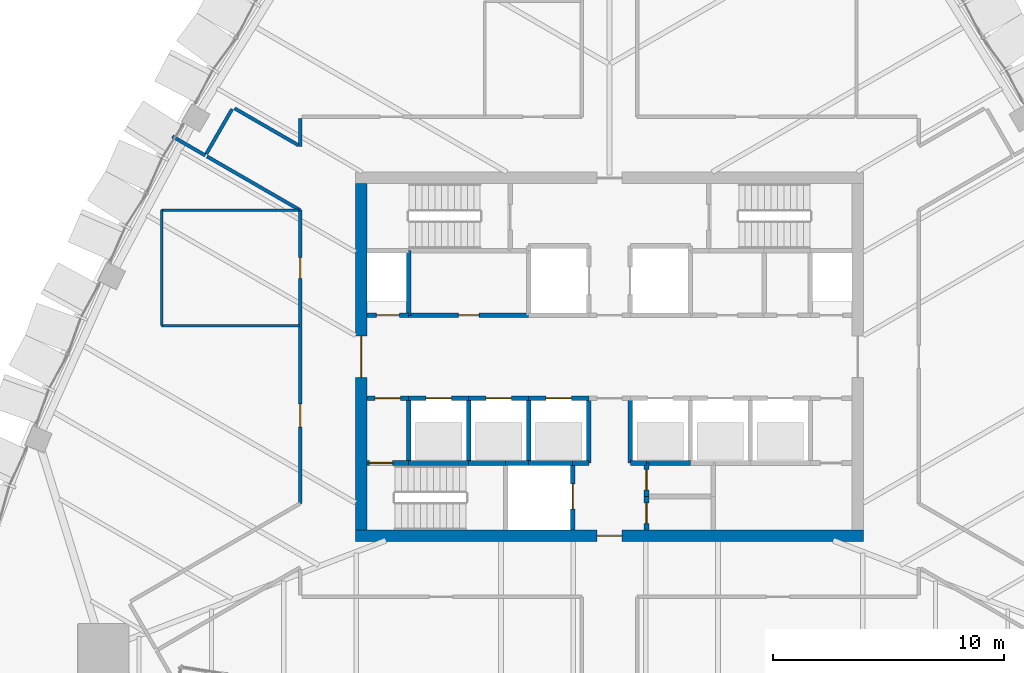
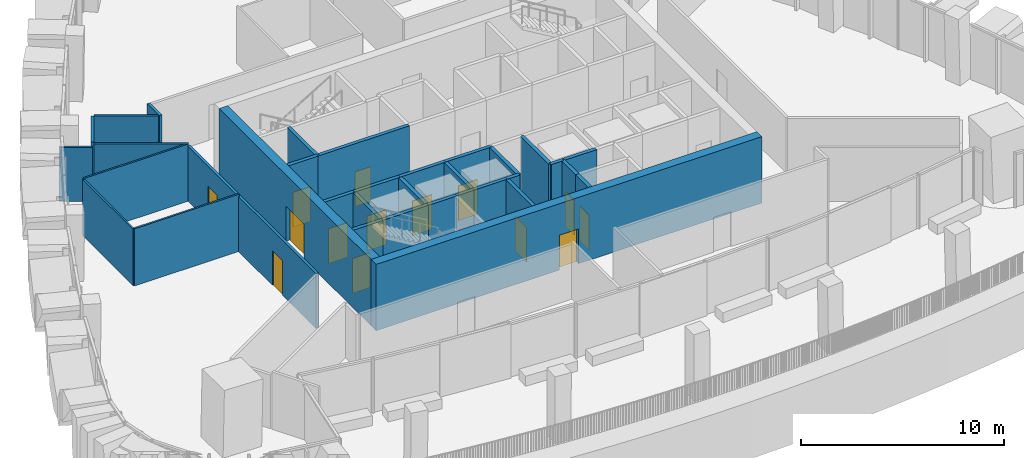
# One storey, part 13 of 22: 34 walls, 14 doors, 14 openings.
"""IFC4 building model written with IfcOpenShell, lengths in metres."""

from ifc_helpers import new_model, si_unit, direction, frame, frame_2d, origin, place, context, subcontext, project, spatial, rectangle, extrude, material, layer, layer_set, type_object, element, fill, save


model = new_model("IFC4")

# Units and contexts
model_context = context("Model", 3, precision=1e-05, world=origin(), true_north=direction((0.0, 1.0)))
body_context = subcontext(model_context, "Body", "Model", "MODEL_VIEW")
ifc_project = project(units=[si_unit("LENGTHUNIT", "METRE"), si_unit("AREAUNIT", "SQUARE_METRE"), si_unit("VOLUMEUNIT", "CUBIC_METRE"), si_unit("PLANEANGLEUNIT", "RADIAN"), si_unit("MASSUNIT", "GRAM", prefix="KILO")], contexts=[model_context])

# Site, building, storey
site_placement = place(None, origin())
site = spatial("IfcSite", under=ifc_project, at=site_placement, CompositionType="ELEMENT")
building_placement = place(site_placement, origin())
building = spatial("IfcBuilding", under=site, at=building_placement, Name="Sierra Prisma Convention Tower", CompositionType="ELEMENT")
storey_placement = place(building_placement, frame((0.0, 0.0, 243.0)))
storey = spatial("IfcBuildingStorey", under=building, at=storey_placement, Name="L54", CompositionType="ELEMENT", Elevation=243.0)

# Walls
ifc_material_1 = material(Name="Gypsum board partition", Category="gypsum")
ifc_layer_1 = layer(ifc_material_1, 0.10009765625)
ifc_layer_set_1 = layer_set([ifc_layer_1], Name="Bathroom partition 100")
wall_type_1 = type_object("IfcWallType", Name="Bathroom partition 100", PredefinedType="PARTITIONING", material=ifc_layer_set_1)
wall_1_placement = place(storey_placement, frame((-13.429931640625, 1.350830078125, 0.0), z_axis=(0.0, 0.0, 1.0), x_axis=(-1.0, 0.0, 0.0)))
element("IfcWall", 1, at=wall_1_placement, inside=storey, type_object=wall_type_1, Name="Partition L54 bath 1", PredefinedType="PARTITIONING", context=body_context, shape_type="SweptSolid", body=[
    extrude(rectangle(XDim=5.969970703125, YDim=0.10009765625, at=frame_2d((2.98486328125, 0.0))), origin(), (0.0, 0.0, 1.0), 3.449951171875),
])
wall_2_placement = place(storey_placement, frame((-19.39990234375, 1.350830078125, 0.0), z_axis=(0.0, 0.0, 1.0), x_axis=(0.0, 1.0, 0.0)))
element("IfcWall", 2, at=wall_2_placement, inside=storey, type_object=wall_type_1, Name="Partition L54 bath 2", PredefinedType="PARTITIONING", context=body_context, shape_type="SweptSolid", body=[
    extrude(rectangle(XDim=5.0, YDim=0.10009765625, at=frame_2d((2.5, 0.0))), origin(), (0.0, 0.0, 1.0), 3.39306640625),
])
wall_3_placement = place(storey_placement, frame((-19.39990234375, 6.350830078125, 0.0), z_axis=(0.0, 0.0, 1.0), x_axis=(1.0, 0.0, 0.0)))
element("IfcWall", 3, at=wall_3_placement, inside=storey, type_object=wall_type_1, Name="Partition L54 bath 3", PredefinedType="PARTITIONING", context=body_context, shape_type="SweptSolid", body=[
    extrude(rectangle(XDim=5.93994140625, YDim=0.10009765625, at=frame_2d((2.969970703125, 0.0))), origin(), (0.0, 0.0, 1.0), 3.443115234375),
])

# Wall, opening, door
ifc_material_2 = material(Name="Concrete C30/37", Category="concrete")
ifc_layer_2 = layer(ifc_material_2, 0.199951171875)
ifc_layer_set_2 = layer_set([ifc_layer_2], Name="Core wall RC 200 C30/37")
wall_type_2 = type_object("IfcWallType", Name="Core wall RC 200 C30/37", PredefinedType="SOLIDWALL", material=ifc_layer_set_2)
wall_4_placement = place(storey_placement, frame((-10.5, -4.60009765625, 0.0), z_axis=(0.0, 0.0, 1.0), x_axis=(1.0, 0.0, 0.0)))
wall_4 = element("IfcWall", 4, at=wall_4_placement, inside=storey, type_object=wall_type_2, Name="Core wall L54 1", PredefinedType="SOLIDWALL", context=body_context, shape_type="SweptSolid", body=[
    extrude(rectangle(XDim=1.800048828125, YDim=0.199951171875, at=frame_2d((0.89990234375, 0.0))), origin(), (0.0, 0.0, 1.0), 3.85009765625),
])
opening_1_placement = place(wall_4_placement, frame((0.10009765625, 0.0, 0.0)))
opening_1 = element("IfcOpeningElement", 5, at=opening_1_placement, cuts=wall_4, Name="Opening L54-D018", PredefinedType="OPENING", context=body_context, shape_type="SweptSolid", body=[
    extrude(rectangle(XDim=1.0, YDim=2.10009765625, at=frame_2d((0.5, 1.050048828125))), frame((0.0, 0.10009765625, 0.0), z_axis=(0.0, -1.0, 0.0), x_axis=(1.0, 0.0, 0.0)), (0.0, 0.0, 1.0), 0.199951171875),
])
ifc_material_3 = material(Name="Steel fire door leaf", Category="steel")
door_type_1 = type_object("IfcDoorType", Name="Door 1000x2100 FD90S", OperationType="SINGLE_SWING_LEFT", PredefinedType="DOOR", material=ifc_material_3)
door_1_placement = place(opening_1_placement, origin())
door_1 = element("IfcDoor", 6, at=door_1_placement, inside=storey, type_object=door_type_1, Name="Door L54 25", OperationType="SINGLE_SWING_LEFT", OverallHeight=2.10009765625, OverallWidth=1.0, PredefinedType="DOOR", context=body_context, shape_type="SweptSolid", body=[
    extrude(rectangle(XDim=1.0, YDim=2.10009765625, at=frame_2d((0.5, 1.050048828125))), frame((0.0, 0.02490234375, 0.0), z_axis=(0.0, -1.0, 0.0), x_axis=(1.0, 0.0, 0.0)), (0.0, 0.0, 1.0), 0.050048828125),
])
fill(opening_1, door_1)

wall_5_placement = place(storey_placement, frame((-10.5, -1.800048828125, 0.0), z_axis=(0.0, 0.0, 1.0), x_axis=(1.0, 0.0, 0.0)))
wall_5 = element("IfcWall", 7, at=wall_5_placement, inside=storey, type_object=wall_type_2, Name="Core wall L54 2", PredefinedType="SOLIDWALL", context=body_context, shape_type="SweptSolid", body=[
    extrude(rectangle(XDim=1.800048828125, YDim=0.199951171875, at=frame_2d((0.89990234375, 0.0))), origin(), (0.0, 0.0, 1.0), 3.85009765625),
])
opening_2_placement = place(wall_5_placement, frame((0.35009765625, 0.0, 0.0)))
opening_2 = element("IfcOpeningElement", 8, at=opening_2_placement, cuts=wall_5, Name="Opening L54-D013", PredefinedType="OPENING", context=body_context, shape_type="SweptSolid", body=[
    extrude(rectangle(XDim=1.10009765625, YDim=2.10009765625, at=frame_2d((0.550048828125, 1.050048828125))), frame((0.0, 0.10009765625, 0.0), z_axis=(0.0, -1.0, 0.0), x_axis=(1.0, 0.0, 0.0)), (0.0, 0.0, 1.0), 0.199951171875),
])
ifc_material_4 = material(Name="Steel fire door leaf", Category="steel")
door_type_2 = type_object("IfcDoorType", Name="Door 1100x2100 FD90S", OperationType="SINGLE_SWING_LEFT", PredefinedType="DOOR", material=ifc_material_4)
door_2_placement = place(opening_2_placement, origin())
door_2 = element("IfcDoor", 9, at=door_2_placement, inside=storey, type_object=door_type_2, Name="Door L54 20", OperationType="SINGLE_SWING_RIGHT", OverallHeight=2.10009765625, OverallWidth=1.10009765625, PredefinedType="DOOR", context=body_context, shape_type="SweptSolid", body=[
    extrude(rectangle(XDim=1.10009765625, YDim=2.10009765625, at=frame_2d((0.550048828125, 1.050048828125))), frame((0.0, 0.02490234375, 0.0), z_axis=(0.0, -1.0, 0.0), x_axis=(1.0, 0.0, 0.0)), (0.0, 0.0, 1.0), 0.050048828125),
])
fill(opening_2, door_2)

wall_6_placement = place(storey_placement, frame((-8.699951171875, 1.800048828125, 0.0), z_axis=(0.0, 0.0, 1.0), x_axis=(-1.0, 0.0, 0.0)))
wall_6 = element("IfcWall", 10, at=wall_6_placement, inside=storey, type_object=wall_type_2, Name="Core wall L54 3", PredefinedType="SOLIDWALL", context=body_context, shape_type="SweptSolid", body=[
    extrude(rectangle(XDim=1.800048828125, YDim=0.199951171875, at=frame_2d((0.89990234375, 0.0))), origin(), (0.0, 0.0, 1.0), 3.85009765625),
])
opening_3_placement = place(wall_6_placement, frame((0.39990234375, 0.0, 0.0)))
opening_3 = element("IfcOpeningElement", 11, at=opening_3_placement, cuts=wall_6, Name="Opening L54-D016", PredefinedType="OPENING", context=body_context, shape_type="SweptSolid", body=[
    extrude(rectangle(XDim=1.0, YDim=2.10009765625, at=frame_2d((0.5, 1.050048828125))), frame((0.0, 0.10009765625, 0.0), z_axis=(0.0, -1.0, 0.0), x_axis=(1.0, 0.0, 0.0)), (0.0, 0.0, 1.0), 0.199951171875),
])
ifc_material_5 = material(Name="Steel fire door leaf", Category="steel")
door_type_3 = type_object("IfcDoorType", Name="Door 1000x2100 FD60S", OperationType="SINGLE_SWING_LEFT", PredefinedType="DOOR", material=ifc_material_5)
door_3_placement = place(opening_3_placement, origin())
door_3 = element("IfcDoor", 12, at=door_3_placement, inside=storey, type_object=door_type_3, Name="Door L54 23", OperationType="SINGLE_SWING_LEFT", OverallHeight=2.10009765625, OverallWidth=1.0, PredefinedType="DOOR", context=body_context, shape_type="SweptSolid", body=[
    extrude(rectangle(XDim=1.0, YDim=2.10009765625, at=frame_2d((0.5, 1.050048828125))), frame((0.0, 0.02490234375, 0.0), z_axis=(0.0, -1.0, 0.0), x_axis=(1.0, 0.0, 0.0)), (0.0, 0.0, 1.0), 0.050048828125),
])
fill(opening_3, door_3)

# Walls
wall_7_placement = place(storey_placement, frame((-8.699951171875, -4.60009765625, 0.0), z_axis=(0.0, 0.0, 1.0), x_axis=(1.0, 0.0, 0.0)))
element("IfcWall", 13, at=wall_7_placement, inside=storey, type_object=wall_type_2, Name="Core wall L54 5", PredefinedType="SOLIDWALL", context=body_context, shape_type="SweptSolid", body=[
    extrude(rectangle(XDim=2.599853515625, YDim=0.199951171875, at=frame_2d((1.2998046875, 0.0))), origin(), (0.0, 0.0, 1.0), 3.85009765625),
])
wall_8_placement = place(storey_placement, frame((-8.699951171875, -4.60009765625, 0.0), z_axis=(0.0, 0.0, 1.0), x_axis=(0.0, 1.0, 0.0)))
element("IfcWall", 14, at=wall_8_placement, inside=storey, type_object=wall_type_2, Name="Core wall L54 6", PredefinedType="SOLIDWALL", context=body_context, shape_type="SweptSolid", body=[
    extrude(rectangle(XDim=2.800048828125, YDim=0.199951171875, at=frame_2d((1.39990234375, 0.0))), origin(), (0.0, 0.0, 1.0), 3.85009765625),
])

# Wall, opening, door
wall_9_placement = place(storey_placement, frame((-8.699951171875, -1.800048828125, 0.0), z_axis=(0.0, 0.0, 1.0), x_axis=(1.0, 0.0, 0.0)))
wall_9 = element("IfcWall", 15, at=wall_9_placement, inside=storey, type_object=wall_type_2, Name="Core wall L54 7", PredefinedType="SOLIDWALL", context=body_context, shape_type="SweptSolid", body=[
    extrude(rectangle(XDim=2.599853515625, YDim=0.199951171875, at=frame_2d((1.2998046875, 0.0))), origin(), (0.0, 0.0, 1.0), 3.85009765625),
])
opening_4_placement = place(wall_9_placement, frame((0.75, 0.0, 0.0)))
opening_4 = element("IfcOpeningElement", 16, at=opening_4_placement, cuts=wall_9, Name="Opening L54-D004", PredefinedType="OPENING", context=body_context, shape_type="SweptSolid", body=[
    extrude(rectangle(XDim=1.10009765625, YDim=2.10009765625, at=frame_2d((0.550048828125, 1.050048828125))), frame((0.0, 0.10009765625, 0.0), z_axis=(0.0, -1.0, 0.0), x_axis=(1.0, 0.0, 0.0)), (0.0, 0.0, 1.0), 0.199951171875),
])
ifc_material_6 = material(Name="Steel fire door leaf", Category="steel")
door_type_4 = type_object("IfcDoorType", Name="Door 1100x2100 EI 90 sliding lift landing", OperationType="SLIDING_TO_LEFT", PredefinedType="DOOR", material=ifc_material_6)
door_4_placement = place(opening_4_placement, origin())
door_4 = element("IfcDoor", 17, at=door_4_placement, inside=storey, type_object=door_type_4, Name="Door L54 11", OperationType="SLIDING_TO_RIGHT", OverallHeight=2.10009765625, OverallWidth=1.10009765625, PredefinedType="DOOR", context=body_context, shape_type="SweptSolid", body=[
    extrude(rectangle(XDim=1.10009765625, YDim=2.10009765625, at=frame_2d((0.550048828125, 1.050048828125))), frame((0.0, 0.02490234375, 0.0), z_axis=(0.0, -1.0, 0.0), x_axis=(1.0, 0.0, 0.0)), (0.0, 0.0, 1.0), 0.050048828125),
])
fill(opening_4, door_4)

wall_10_placement = place(storey_placement, frame((-8.699951171875, 1.800048828125, 0.0), z_axis=(0.0, 0.0, 1.0), x_axis=(1.0, 0.0, 0.0)))
wall_10 = element("IfcWall", 18, at=wall_10_placement, inside=storey, type_object=wall_type_2, Name="Core wall L54 8", PredefinedType="SOLIDWALL", context=body_context, shape_type="SweptSolid", body=[
    extrude(rectangle(XDim=5.199951171875, YDim=0.199951171875, at=frame_2d((2.60009765625, 0.0))), origin(), (0.0, 0.0, 1.0), 3.85009765625),
])
opening_5_placement = place(wall_10_placement, frame((2.14990234375, 0.0, 0.0)))
opening_5 = element("IfcOpeningElement", 19, at=opening_5_placement, cuts=wall_10, Name="Opening L54-D023", PredefinedType="OPENING", context=body_context, shape_type="SweptSolid", body=[
    extrude(rectangle(XDim=0.89990234375, YDim=2.10009765625, at=frame_2d((0.449951171875, 1.050048828125))), frame((0.0, 0.10009765625, 0.0), z_axis=(0.0, -1.0, 0.0), x_axis=(1.0, 0.0, 0.0)), (0.0, 0.0, 1.0), 0.199951171875),
])
ifc_material_7 = material(Name="Steel fire door leaf", Category="steel")
door_type_5 = type_object("IfcDoorType", Name="Door 900x2100 FD30S", OperationType="SINGLE_SWING_LEFT", PredefinedType="DOOR", material=ifc_material_7)
door_5_placement = place(opening_5_placement, origin())
door_5 = element("IfcDoor", 20, at=door_5_placement, inside=storey, type_object=door_type_5, Name="Door L54 30", OperationType="SINGLE_SWING_RIGHT", OverallHeight=2.10009765625, OverallWidth=0.89990234375, PredefinedType="DOOR", context=body_context, shape_type="SweptSolid", body=[
    extrude(rectangle(XDim=0.89990234375, YDim=2.10009765625, at=frame_2d((0.449951171875, 1.050048828125))), frame((0.0, 0.02490234375, 0.0), z_axis=(0.0, -1.0, 0.0), x_axis=(1.0, 0.0, 0.0)), (0.0, 0.0, 1.0), 0.050048828125),
])
fill(opening_5, door_5)

# Walls
wall_11_placement = place(storey_placement, frame((-8.699951171875, 4.60009765625, 0.0), z_axis=(0.0, 0.0, 1.0), x_axis=(0.0, -1.0, 0.0)))
element("IfcWall", 21, at=wall_11_placement, inside=storey, type_object=wall_type_2, Name="Core wall L54 9", PredefinedType="SOLIDWALL", context=body_context, shape_type="SweptSolid", body=[
    extrude(rectangle(XDim=2.800048828125, YDim=0.199951171875, at=frame_2d((1.39990234375, 0.0))), origin(), (0.0, 0.0, 1.0), 3.85009765625),
])
wall_12_placement = place(storey_placement, frame((-6.10009765625, -4.60009765625, 0.0), z_axis=(0.0, 0.0, 1.0), x_axis=(1.0, 0.0, 0.0)))
element("IfcWall", 22, at=wall_12_placement, inside=storey, type_object=wall_type_2, Name="Core wall L54 11", PredefinedType="SOLIDWALL", context=body_context, shape_type="SweptSolid", body=[
    extrude(rectangle(XDim=1.60009765625, YDim=0.199951171875, at=frame_2d((0.800048828125, 0.0))), origin(), (0.0, 0.0, 1.0), 3.85009765625),
])
wall_13_placement = place(storey_placement, frame((-6.10009765625, -4.60009765625, 0.0), z_axis=(0.0, 0.0, 1.0), x_axis=(0.0, 1.0, 0.0)))
element("IfcWall", 23, at=wall_13_placement, inside=storey, type_object=wall_type_2, Name="Core wall L54 12", PredefinedType="SOLIDWALL", context=body_context, shape_type="SweptSolid", body=[
    extrude(rectangle(XDim=2.800048828125, YDim=0.199951171875, at=frame_2d((1.39990234375, 0.0))), origin(), (0.0, 0.0, 1.0), 3.85009765625),
])

# Wall, opening, door
wall_14_placement = place(storey_placement, frame((-6.10009765625, -1.800048828125, 0.0), z_axis=(0.0, 0.0, 1.0), x_axis=(1.0, 0.0, 0.0)))
wall_14 = element("IfcWall", 24, at=wall_14_placement, inside=storey, type_object=wall_type_2, Name="Core wall L54 13", PredefinedType="SOLIDWALL", context=body_context, shape_type="SweptSolid", body=[
    extrude(rectangle(XDim=2.60009765625, YDim=0.199951171875, at=frame_2d((1.300048828125, 0.0))), origin(), (0.0, 0.0, 1.0), 3.85009765625),
])
opening_6_placement = place(wall_14_placement, frame((0.75, 0.0, 0.0)))
opening_6 = element("IfcOpeningElement", 25, at=opening_6_placement, cuts=wall_14, Name="Opening L54-D005", PredefinedType="OPENING", context=body_context, shape_type="SweptSolid", body=[
    extrude(rectangle(XDim=1.10009765625, YDim=2.10009765625, at=frame_2d((0.550048828125, 1.050048828125))), frame((0.0, 0.10009765625, 0.0), z_axis=(0.0, -1.0, 0.0), x_axis=(1.0, 0.0, 0.0)), (0.0, 0.0, 1.0), 0.199951171875),
])
door_6_placement = place(opening_6_placement, origin())
door_6 = element("IfcDoor", 26, at=door_6_placement, inside=storey, type_object=door_type_4, Name="Door L54 12", OperationType="SLIDING_TO_RIGHT", OverallHeight=2.10009765625, OverallWidth=1.10009765625, PredefinedType="DOOR", context=body_context, shape_type="SweptSolid", body=[
    extrude(rectangle(XDim=1.10009765625, YDim=2.10009765625, at=frame_2d((0.550048828125, 1.050048828125))), frame((0.0, 0.02490234375, 0.0), z_axis=(0.0, -1.0, 0.0), x_axis=(1.0, 0.0, 0.0)), (0.0, 0.0, 1.0), 0.050048828125),
])
fill(opening_6, door_6)

# Walls
wall_15_placement = place(storey_placement, frame((-4.5, -4.60009765625, 0.0), z_axis=(0.0, 0.0, 1.0), x_axis=(1.0, 0.0, 0.0)))
element("IfcWall", 27, at=wall_15_placement, inside=storey, type_object=wall_type_2, Name="Core wall L54 15", PredefinedType="SOLIDWALL", context=body_context, shape_type="SweptSolid", body=[
    extrude(rectangle(XDim=1.0, YDim=0.199951171875, at=frame_2d((0.5, 0.0))), origin(), (0.0, 0.0, 1.0), 3.85009765625),
])
wall_16_placement = place(storey_placement, frame((-3.5, -4.60009765625, 0.0), z_axis=(0.0, 0.0, 1.0), x_axis=(1.0, 0.0, 0.0)))
element("IfcWall", 28, at=wall_16_placement, inside=storey, type_object=wall_type_2, Name="Core wall L54 18", PredefinedType="SOLIDWALL", context=body_context, shape_type="SweptSolid", body=[
    extrude(rectangle(XDim=1.89990234375, YDim=0.199951171875, at=frame_2d((0.949951171875, 0.0))), origin(), (0.0, 0.0, 1.0), 3.85009765625),
])
wall_17_placement = place(storey_placement, frame((-3.5, -4.60009765625, 0.0), z_axis=(0.0, 0.0, 1.0), x_axis=(0.0, 1.0, 0.0)))
element("IfcWall", 29, at=wall_17_placement, inside=storey, type_object=wall_type_2, Name="Core wall L54 19", PredefinedType="SOLIDWALL", context=body_context, shape_type="SweptSolid", body=[
    extrude(rectangle(XDim=2.800048828125, YDim=0.199951171875, at=frame_2d((1.39990234375, 0.0))), origin(), (0.0, 0.0, 1.0), 3.85009765625),
])

# Wall, opening, door
wall_18_placement = place(storey_placement, frame((-3.5, -1.800048828125, 0.0), z_axis=(0.0, 0.0, 1.0), x_axis=(1.0, 0.0, 0.0)))
wall_18 = element("IfcWall", 30, at=wall_18_placement, inside=storey, type_object=wall_type_2, Name="Core wall L54 20", PredefinedType="SOLIDWALL", context=body_context, shape_type="SweptSolid", body=[
    extrude(rectangle(XDim=2.60009765625, YDim=0.199951171875, at=frame_2d((1.300048828125, 0.0))), origin(), (0.0, 0.0, 1.0), 3.85009765625),
])
opening_7_placement = place(wall_18_placement, frame((0.75, 0.0, 0.0)))
opening_7 = element("IfcOpeningElement", 31, at=opening_7_placement, cuts=wall_18, Name="Opening L54-D006", PredefinedType="OPENING", context=body_context, shape_type="SweptSolid", body=[
    extrude(rectangle(XDim=1.10009765625, YDim=2.10009765625, at=frame_2d((0.550048828125, 1.050048828125))), frame((0.0, 0.10009765625, 0.0), z_axis=(0.0, -1.0, 0.0), x_axis=(1.0, 0.0, 0.0)), (0.0, 0.0, 1.0), 0.199951171875),
])
door_7_placement = place(opening_7_placement, origin())
door_7 = element("IfcDoor", 32, at=door_7_placement, inside=storey, type_object=door_type_4, Name="Door L54 13", OperationType="SLIDING_TO_RIGHT", OverallHeight=2.10009765625, OverallWidth=1.10009765625, PredefinedType="DOOR", context=body_context, shape_type="SweptSolid", body=[
    extrude(rectangle(XDim=1.10009765625, YDim=2.10009765625, at=frame_2d((0.550048828125, 1.050048828125))), frame((0.0, 0.02490234375, 0.0), z_axis=(0.0, -1.0, 0.0), x_axis=(1.0, 0.0, 0.0)), (0.0, 0.0, 1.0), 0.050048828125),
])
fill(opening_7, door_7)

wall_19_placement = place(storey_placement, frame((-1.60009765625, -7.5, 0.0), z_axis=(0.0, 0.0, 1.0), x_axis=(0.0, 1.0, 0.0)))
wall_19 = element("IfcWall", 33, at=wall_19_placement, inside=storey, type_object=wall_type_2, Name="Core wall L54 26", PredefinedType="SOLIDWALL", context=body_context, shape_type="SweptSolid", body=[
    extrude(rectangle(XDim=2.89990234375, YDim=0.199951171875, at=frame_2d((1.449951171875, 0.0))), origin(), (0.0, 0.0, 1.0), 3.85009765625),
])
opening_8_placement = place(wall_19_placement, frame((0.89990234375, 0.0, 0.0)))
opening_8 = element("IfcOpeningElement", 34, at=opening_8_placement, cuts=wall_19, Name="Opening L54-D012", PredefinedType="OPENING", context=body_context, shape_type="SweptSolid", body=[
    extrude(rectangle(XDim=1.10009765625, YDim=2.10009765625, at=frame_2d((0.550048828125, 1.050048828125))), frame((0.0, 0.10009765625, 0.0), z_axis=(0.0, -1.0, 0.0), x_axis=(1.0, 0.0, 0.0)), (0.0, 0.0, 1.0), 0.199951171875),
])
door_8_placement = place(opening_8_placement, origin())
door_8 = element("IfcDoor", 35, at=door_8_placement, inside=storey, type_object=door_type_4, Name="Door L54 19", OperationType="SLIDING_TO_RIGHT", OverallHeight=2.10009765625, OverallWidth=1.10009765625, PredefinedType="DOOR", context=body_context, shape_type="SweptSolid", body=[
    extrude(rectangle(XDim=1.10009765625, YDim=2.10009765625, at=frame_2d((0.550048828125, 1.050048828125))), frame((0.0, 0.02490234375, 0.0), z_axis=(0.0, -1.0, 0.0), x_axis=(1.0, 0.0, 0.0)), (0.0, 0.0, 1.0), 0.050048828125),
])
fill(opening_8, door_8)

# Walls
wall_20_placement = place(storey_placement, frame((-1.60009765625, -4.60009765625, 0.0), z_axis=(0.0, 0.0, 1.0), x_axis=(1.0, 0.0, 0.0)))
element("IfcWall", 36, at=wall_20_placement, inside=storey, type_object=wall_type_2, Name="Core wall L54 27", PredefinedType="SOLIDWALL", context=body_context, shape_type="SweptSolid", body=[
    extrude(rectangle(XDim=0.7001953125, YDim=0.199951171875, at=frame_2d((0.35009765625, 0.0))), origin(), (0.0, 0.0, 1.0), 3.85009765625),
])
for number, where, z_axis, x_axis, name in (
    (37, (-0.89990234375, -4.60009765625, 0.0), (0.0, 0.0, 1.0), (0.0, 1.0, 0.0), "Core wall L54 28"),
    (38, (0.89990234375, -1.800048828125, 0.0), (0.0, 0.0, 1.0), (0.0, -1.0, 0.0), "Core wall L54 32"),
):
    element("IfcWall", number, at=place(storey_placement, frame(where, z_axis=z_axis, x_axis=x_axis)), inside=storey, type_object=wall_type_2, Name=name, PredefinedType="SOLIDWALL", context=body_context, shape_type="SweptSolid", body=[
        extrude(rectangle(XDim=2.800048828125, YDim=0.199951171875, at=frame_2d((1.39990234375, 0.0))), origin(), (0.0, 0.0, 1.0), 3.85009765625),
    ])
wall_21_placement = place(storey_placement, frame((0.89990234375, -4.60009765625, 0.0), z_axis=(0.0, 0.0, 1.0), x_axis=(1.0, 0.0, 0.0)))
element("IfcWall", 39, at=wall_21_placement, inside=storey, type_object=wall_type_2, Name="Core wall L54 33", PredefinedType="SOLIDWALL", context=body_context, shape_type="SweptSolid", body=[
    extrude(rectangle(XDim=0.7001953125, YDim=0.199951171875, at=frame_2d((0.35009765625, 0.0))), origin(), (0.0, 0.0, 1.0), 3.85009765625),
])

# Wall, opening, door
wall_22_placement = place(storey_placement, frame((1.60009765625, -6.050048828125, 0.0), z_axis=(0.0, 0.0, 1.0), x_axis=(0.0, -1.0, 0.0)))
wall_22 = element("IfcWall", 40, at=wall_22_placement, inside=storey, type_object=wall_type_2, Name="Core wall L54 38", PredefinedType="SOLIDWALL", context=body_context, shape_type="SweptSolid", body=[
    extrude(rectangle(XDim=1.449951171875, YDim=0.199951171875, at=frame_2d((0.72509765625, 0.0))), origin(), (0.0, 0.0, 1.0), 3.85009765625),
])
opening_9_placement = place(wall_22_placement, frame((0.27490234375, 0.0, 0.0)))
opening_9 = element("IfcOpeningElement", 41, at=opening_9_placement, cuts=wall_22, Name="Opening L54-D026", PredefinedType="OPENING", context=body_context, shape_type="SweptSolid", body=[
    extrude(rectangle(XDim=0.89990234375, YDim=2.10009765625, at=frame_2d((0.449951171875, 1.050048828125))), frame((0.0, 0.10009765625, 0.0), z_axis=(0.0, -1.0, 0.0), x_axis=(1.0, 0.0, 0.0)), (0.0, 0.0, 1.0), 0.199951171875),
])
door_9_placement = place(opening_9_placement, origin())
door_9 = element("IfcDoor", 42, at=door_9_placement, inside=storey, type_object=door_type_5, Name="Door L54 33", OperationType="SINGLE_SWING_LEFT", OverallHeight=2.10009765625, OverallWidth=0.89990234375, PredefinedType="DOOR", context=body_context, shape_type="SweptSolid", body=[
    extrude(rectangle(XDim=0.89990234375, YDim=2.10009765625, at=frame_2d((0.449951171875, 1.050048828125))), frame((0.0, 0.02490234375, 0.0), z_axis=(0.0, -1.0, 0.0), x_axis=(1.0, 0.0, 0.0)), (0.0, 0.0, 1.0), 0.050048828125),
])
fill(opening_9, door_9)

wall_23_placement = place(storey_placement, frame((1.60009765625, -4.60009765625, 0.0), z_axis=(0.0, 0.0, 1.0), x_axis=(0.0, -1.0, 0.0)))
wall_23 = element("IfcWall", 43, at=wall_23_placement, inside=storey, type_object=wall_type_2, Name="Core wall L54 40", PredefinedType="SOLIDWALL", context=body_context, shape_type="SweptSolid", body=[
    extrude(rectangle(XDim=1.449951171875, YDim=0.199951171875, at=frame_2d((0.72509765625, 0.0))), origin(), (0.0, 0.0, 1.0), 3.85009765625),
])
opening_10_placement = place(wall_23_placement, frame((0.27490234375, 0.0, 0.0)))
opening_10 = element("IfcOpeningElement", 44, at=opening_10_placement, cuts=wall_23, Name="Opening L54-D027", PredefinedType="OPENING", context=body_context, shape_type="SweptSolid", body=[
    extrude(rectangle(XDim=0.89990234375, YDim=2.10009765625, at=frame_2d((0.449951171875, 1.050048828125))), frame((0.0, 0.10009765625, 0.0), z_axis=(0.0, -1.0, 0.0), x_axis=(1.0, 0.0, 0.0)), (0.0, 0.0, 1.0), 0.199951171875),
])
door_10_placement = place(opening_10_placement, origin())
door_10 = element("IfcDoor", 45, at=door_10_placement, inside=storey, type_object=door_type_5, Name="Door L54 34", OperationType="SINGLE_SWING_RIGHT", OverallHeight=2.10009765625, OverallWidth=0.89990234375, PredefinedType="DOOR", context=body_context, shape_type="SweptSolid", body=[
    extrude(rectangle(XDim=0.89990234375, YDim=2.10009765625, at=frame_2d((0.449951171875, 1.050048828125))), frame((0.0, 0.02490234375, 0.0), z_axis=(0.0, -1.0, 0.0), x_axis=(1.0, 0.0, 0.0)), (0.0, 0.0, 1.0), 0.050048828125),
])
fill(opening_10, door_10)

# Wall
wall_24_placement = place(storey_placement, frame((3.5, -4.60009765625, 0.0), z_axis=(0.0, 0.0, 1.0), x_axis=(-1.0, 0.0, 0.0)))
element("IfcWall", 46, at=wall_24_placement, inside=storey, type_object=wall_type_2, Name="Core wall L54 41", PredefinedType="SOLIDWALL", context=body_context, shape_type="SweptSolid", body=[
    extrude(rectangle(XDim=1.89990234375, YDim=0.199951171875, at=frame_2d((0.949951171875, 0.0))), origin(), (0.0, 0.0, 1.0), 3.85009765625),
])

# Wall, opening, door
ifc_material_8 = material(Name="Concrete C50/60", Category="concrete")
ifc_layer_3 = layer(ifc_material_8, 0.5)
ifc_layer_set_3 = layer_set([ifc_layer_3], Name="Core wall RC 500 C50/60")
wall_type_3 = type_object("IfcWallType", Name="Core wall RC 500 C50/60", PredefinedType="SHEAR", material=ifc_layer_set_3)
wall_25_placement = place(storey_placement, frame((-11.0, -7.75, 0.0), z_axis=(0.0, 0.0, 1.0), x_axis=(1.0, 0.0, 0.0)))
wall_25 = element("IfcWall", 47, at=wall_25_placement, inside=storey, type_object=wall_type_3, Name="Core wall S L54", PredefinedType="SHEAR", context=body_context, shape_type="SweptSolid", body=[
    extrude(rectangle(XDim=22.0, YDim=0.5, at=frame_2d((11.0, 0.0))), origin(), (0.0, 0.0, 1.0), 4.0),
])
opening_11_placement = place(wall_25_placement, frame((10.449951171875, 0.0, 0.0)))
opening_11 = element("IfcOpeningElement", 48, at=opening_11_placement, cuts=wall_25, Name="Opening L54-D040", PredefinedType="OPENING", context=body_context, shape_type="SweptSolid", body=[
    extrude(rectangle(XDim=1.10009765625, YDim=2.10009765625, at=frame_2d((0.550048828125, 1.050048828125))), frame((0.0, 0.25, 0.0), z_axis=(0.0, -1.0, 0.0), x_axis=(1.0, 0.0, 0.0)), (0.0, 0.0, 1.0), 0.5),
])
ifc_material_9 = material(Name="Steel fire door leaf", Category="steel")
door_type_6 = type_object("IfcDoorType", Name="Door 1100x2100 FD30S", OperationType="SINGLE_SWING_LEFT", PredefinedType="DOOR", material=ifc_material_9)
door_11_placement = place(opening_11_placement, origin())
door_11 = element("IfcDoor", 49, at=door_11_placement, inside=storey, type_object=door_type_6, Name="Door L54 38", OperationType="SINGLE_SWING_LEFT", OverallHeight=2.10009765625, OverallWidth=1.10009765625, PredefinedType="DOOR", context=body_context, shape_type="SweptSolid", body=[
    extrude(rectangle(XDim=1.10009765625, YDim=2.10009765625, at=frame_2d((0.550048828125, 1.050048828125))), frame((0.0, 0.02490234375, 0.0), z_axis=(0.0, -1.0, 0.0), x_axis=(1.0, 0.0, 0.0)), (0.0, 0.0, 1.0), 0.050048828125),
])
fill(opening_11, door_11)

wall_26_placement = place(storey_placement, frame((-10.75, -7.5, 0.0), z_axis=(0.0, 0.0, 1.0), x_axis=(0.0, 1.0, 0.0)))
wall_26 = element("IfcWall", 50, at=wall_26_placement, inside=storey, type_object=wall_type_3, Name="Core wall W L54", PredefinedType="SHEAR", context=body_context, shape_type="SweptSolid", body=[
    extrude(rectangle(XDim=15.0, YDim=0.5, at=frame_2d((7.5, 0.0))), origin(), (0.0, 0.0, 1.0), 4.0),
])
opening_12_placement = place(wall_26_placement, frame((6.60009765625, 0.0, 0.0)))
opening_12 = element("IfcOpeningElement", 51, at=opening_12_placement, cuts=wall_26, Name="Opening L54-D041", PredefinedType="OPENING", context=body_context, shape_type="SweptSolid", body=[
    extrude(rectangle(XDim=1.800048828125, YDim=2.10009765625, at=frame_2d((0.89990234375, 1.050048828125))), frame((0.0, 0.25, 0.0), z_axis=(0.0, -1.0, 0.0), x_axis=(1.0, 0.0, 0.0)), (0.0, 0.0, 1.0), 0.5),
])
ifc_material_10 = material(Name="Steel fire door leaf", Category="steel")
door_type_7 = type_object("IfcDoorType", Name="Door 1800x2100 FD60S", OperationType="DOUBLE_DOOR_SINGLE_SWING", PredefinedType="DOOR", material=ifc_material_10)
door_12_placement = place(opening_12_placement, origin())
door_12 = element("IfcDoor", 52, at=door_12_placement, inside=storey, type_object=door_type_7, Name="Door L54 35", OperationType="DOUBLE_DOOR_SINGLE_SWING", OverallHeight=2.10009765625, OverallWidth=1.800048828125, PredefinedType="DOOR", context=body_context, shape_type="SweptSolid", body=[
    extrude(rectangle(XDim=1.800048828125, YDim=2.10009765625, at=frame_2d((0.89990234375, 1.050048828125))), frame((0.0, 0.02490234375, 0.0), z_axis=(0.0, -1.0, 0.0), x_axis=(1.0, 0.0, 0.0)), (0.0, 0.0, 1.0), 0.050048828125),
])
fill(opening_12, door_12)

# Wall
ifc_material_11 = material(Name="Gypsum board partition", Category="gypsum")
ifc_layer_4 = layer(ifc_material_11, 0.14990234375)
ifc_layer_set_4 = layer_set([ifc_layer_4], Name="Corridor wall 150 gypsum EI 60")
wall_type_4 = type_object("IfcWallType", Name="Corridor wall 150 gypsum EI 60", PredefinedType="PARTITIONING", material=ifc_layer_set_4)
wall_27_placement = place(storey_placement, frame((-17.4404296875, 8.68359375, 0.0), z_axis=(0.0, 0.0, 1.0), x_axis=(0.866028733576, -0.499994232587, 0.0)))
element("IfcWall", 53, at=wall_27_placement, inside=storey, type_object=wall_type_4, Name="Partition L54 corr 2", PredefinedType="PARTITIONING", context=body_context, shape_type="SweptSolid", body=[
    extrude(rectangle(XDim=4.66552734375, YDim=0.14990234375, at=frame_2d((2.332763671875, 0.0))), origin(), (0.0, 0.0, 1.0), 3.449951171875),
])

# Wall, openings, doors
wall_28_placement = place(storey_placement, frame((-13.39990234375, 6.350830078125, 0.0), z_axis=(0.0, 0.0, 1.0), x_axis=(0.0, -1.0, 0.0)))
wall_28 = element("IfcWall", 54, at=wall_28_placement, inside=storey, type_object=wall_type_4, Name="Partition L54 corr 3", PredefinedType="PARTITIONING", context=body_context, shape_type="SweptSolid", body=[
    extrude(rectangle(XDim=12.70166015625, YDim=0.14990234375, at=frame_2d((6.350830078125, 0.0))), origin(), (0.0, 0.0, 1.0), 3.31689453125),
])
opening_13_placement = place(wall_28_placement, frame((2.050048828125, 0.0, 0.0)))
opening_13 = element("IfcOpeningElement", 55, at=opening_13_placement, cuts=wall_28, Name="Opening L54-D033", PredefinedType="OPENING", context=body_context, shape_type="SweptSolid", body=[
    extrude(rectangle(XDim=0.89990234375, YDim=2.10009765625, at=frame_2d((0.449951171875, 1.050048828125))), frame((0.0, 0.074951171875, 0.0), z_axis=(0.0, -1.0, 0.0), x_axis=(1.0, 0.0, 0.0)), (0.0, 0.0, 1.0), 0.14990234375),
])
opening_14_placement = place(wall_28_placement, frame((8.40087890625, 0.0, 0.0)))
opening_14 = element("IfcOpeningElement", 56, at=opening_14_placement, cuts=wall_28, Name="Opening L54-D034", PredefinedType="OPENING", context=body_context, shape_type="SweptSolid", body=[
    extrude(rectangle(XDim=1.0, YDim=2.10009765625, at=frame_2d((0.5, 1.050048828125))), frame((0.0, 0.074951171875, 0.0), z_axis=(0.0, -1.0, 0.0), x_axis=(1.0, 0.0, 0.0)), (0.0, 0.0, 1.0), 0.14990234375),
])
ifc_material_12 = material(Name="Steel fire door leaf", Category="steel")
door_type_8 = type_object("IfcDoorType", Name="Door 1000x2100 FD30S", OperationType="SINGLE_SWING_LEFT", PredefinedType="DOOR", material=ifc_material_12)
door_13_placement = place(opening_14_placement, origin())
door_13 = element("IfcDoor", 57, at=door_13_placement, inside=storey, type_object=door_type_8, Name="Door L54 7", OperationType="SINGLE_SWING_LEFT", OverallHeight=2.10009765625, OverallWidth=1.0, PredefinedType="DOOR", context=body_context, shape_type="SweptSolid", body=[
    extrude(rectangle(XDim=1.0, YDim=2.10009765625, at=frame_2d((0.5, 1.050048828125))), frame((0.0, 0.02490234375, 0.0), z_axis=(0.0, -1.0, 0.0), x_axis=(1.0, 0.0, 0.0)), (0.0, 0.0, 1.0), 0.050048828125),
])
fill(opening_14, door_13)
door_14_placement = place(opening_13_placement, origin())
door_14 = element("IfcDoor", 58, at=door_14_placement, inside=storey, type_object=door_type_5, Name="Door L54 6", OperationType="SINGLE_SWING_LEFT", OverallHeight=2.10009765625, OverallWidth=0.89990234375, PredefinedType="DOOR", context=body_context, shape_type="SweptSolid", body=[
    extrude(rectangle(XDim=0.89990234375, YDim=2.10009765625, at=frame_2d((0.449951171875, 1.050048828125))), frame((0.0, 0.02490234375, 0.0), z_axis=(0.0, -1.0, 0.0), x_axis=(1.0, 0.0, 0.0)), (0.0, 0.0, 1.0), 0.050048828125),
])
fill(opening_13, door_14)

# Walls
wall_29_placement = place(storey_placement, frame((-16.349853515625, 10.73291015625, 0.0), z_axis=(0.0, 0.0, 1.0), x_axis=(-0.49994888933, -0.866054910533, 0.0)))
element("IfcWall", 59, at=wall_29_placement, inside=storey, type_object=wall_type_4, Name="Partition L54 corr 7", PredefinedType="PARTITIONING", context=body_context, shape_type="SweptSolid", body=[
    extrude(rectangle(XDim=2.239990234375, YDim=0.14990234375, at=frame_2d((1.1201171875, 0.0))), origin(), (0.0, 0.0, 1.0), 3.449951171875),
])
wall_30_placement = place(storey_placement, frame((-13.39990234375, 10.320068359375, 0.0), z_axis=(0.0, 0.0, 1.0), x_axis=(0.0, -1.0, 0.0)))
element("IfcWall", 60, at=wall_30_placement, inside=storey, type_object=wall_type_4, Name="Partition L54 corr 8", PredefinedType="PARTITIONING", context=body_context, shape_type="SweptSolid", body=[
    extrude(rectangle(XDim=1.197998046875, YDim=0.14990234375, at=frame_2d((0.59912109375, 0.0))), origin(), (0.0, 0.0, 1.0), 3.449951171875),
])
wall_31_placement = place(storey_placement, frame((-13.479248046875, 9.16796875, 0.0), z_axis=(0.0, 0.0, 1.0), x_axis=(-0.866019818373, 0.500009674092, 0.0)))
element("IfcWall", 61, at=wall_31_placement, inside=storey, type_object=wall_type_4, Name="Partition L54 corr 9", PredefinedType="PARTITIONING", context=body_context, shape_type="SweptSolid", body=[
    extrude(rectangle(XDim=3.1884765625, YDim=0.14990234375, at=frame_2d((1.59423828125, 0.0))), origin(), (0.0, 0.0, 1.0), 3.449951171875),
])
ifc_material_13 = material(Name="Gypsum board partition", Category="gypsum")
ifc_layer_5 = layer(ifc_material_13, 0.14990234375)
ifc_layer_set_5 = layer_set([ifc_layer_5], Name="Party wall 150 gypsum")
wall_type_5 = type_object("IfcWallType", Name="Party wall 150 gypsum", PredefinedType="PARTITIONING", material=ifc_layer_set_5)
wall_32_placement = place(storey_placement, frame((-17.509765625, 8.7236328125, 0.0), z_axis=(0.0, 0.0, 1.0), x_axis=(-0.866003217194, 0.500038426333, 0.0)))
element("IfcWall", 62, at=wall_32_placement, inside=storey, type_object=wall_type_5, Name="Partition L54 party 2", PredefinedType="PARTITIONING", context=body_context, shape_type="SweptSolid", body=[
    extrude(rectangle(XDim=1.649658203125, YDim=0.14990234375, at=frame_2d((0.82470703125, 0.0))), origin(), (0.0, 0.0, 1.0), 3.23388671875),
])

save(model, "model.ifc")
